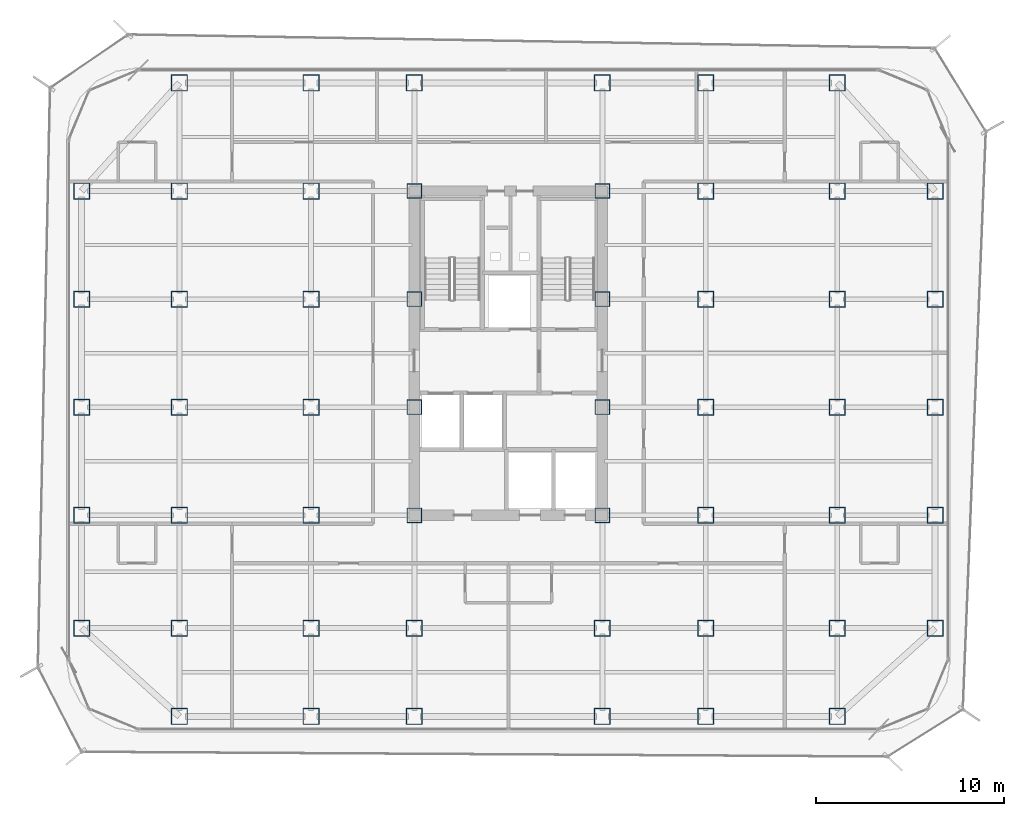
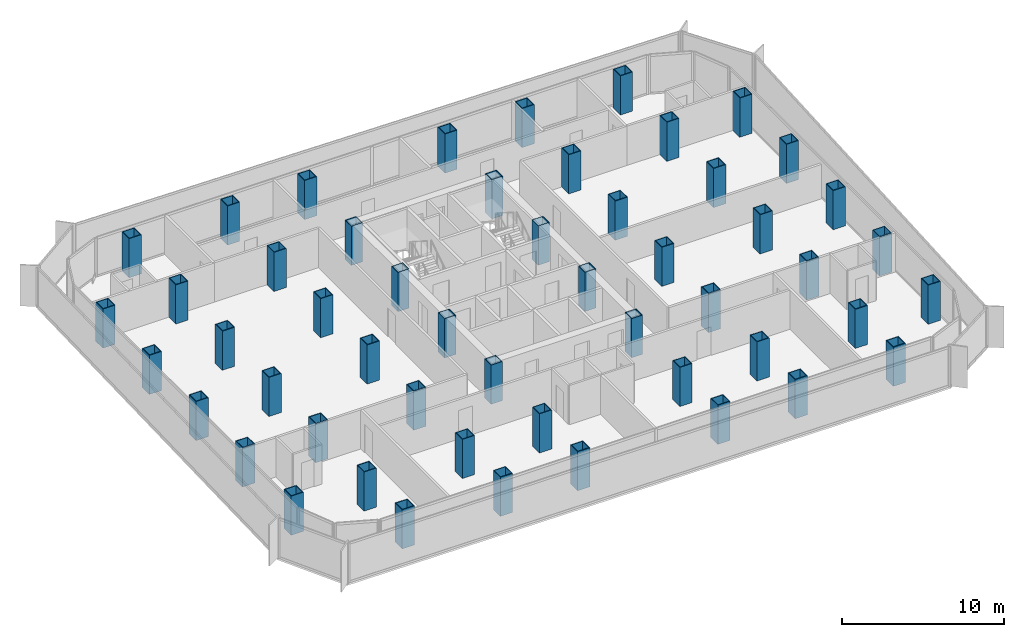
# One storey, part 1 of 21: 52 columns.
"""IFC4 building model written with IfcOpenShell, lengths in metres."""

from ifc_helpers import new_model, si_unit, direction, frame, origin, origin_2d, place, context, subcontext, project, spatial, hollow_rectangle, extrude, source, transform, mapped, material, material_profile, profile_set, type_object, element, save


model = new_model("IFC4")

# Units and contexts
model_context = context("Model", 3, precision=1e-05, world=origin(), true_north=direction((0.0, 1.0)))
body_context = subcontext(model_context, "Body", "Model", "MODEL_VIEW")
ifc_project = project(units=[si_unit("LENGTHUNIT", "METRE"), si_unit("AREAUNIT", "SQUARE_METRE"), si_unit("VOLUMEUNIT", "CUBIC_METRE"), si_unit("PLANEANGLEUNIT", "RADIAN"), si_unit("MASSUNIT", "GRAM", prefix="KILO")], contexts=[model_context])

# Site, building, storey
site_placement = place(None, origin())
site = spatial("IfcSite", under=ifc_project, at=site_placement, CompositionType="ELEMENT")
building_placement = place(site_placement, origin())
building = spatial("IfcBuilding", under=site, at=building_placement, Name="Kolveth Station Tower", CompositionType="ELEMENT")
storey_placement = place(building_placement, frame((0.0, 0.0, 137.5)))
storey = spatial("IfcBuildingStorey", under=building, at=storey_placement, Name="L38", CompositionType="ELEMENT", Elevation=137.5)

# Columns
ifc_material_1 = material(Name="Steel S460", Category="steel")
ifc_material_profile_1 = material_profile(ifc_material_1, hollow_rectangle(XDim=0.8798828125, YDim=0.8798828125, WallThickness=0.050048828125, at=origin_2d()), Name="BOX880x880x50")
ifc_profile_set_1 = profile_set([ifc_material_profile_1], Name="Steel S460")
column_type_1 = type_object("IfcColumnType", Name="Col_C4", PredefinedType="COLUMN", material=ifc_profile_set_1)
shared_shape_1 = source(origin(), body_context, "Body", "SweptSolid", [
    extrude(hollow_rectangle(XDim=0.8798828125, YDim=0.8798828125, WallThickness=0.050048828125, at=origin_2d()), origin(), (0.0, 0.0, 1.0), 2.949951171875),
])
for number, where, z_axis, x_axis, name in (
    (1, (6.0, 0.800048828125, 0.0), (0.0, 0.0, 1.0), (1.0, 0.0, 0.0), "L38 Tower Column S-X60"),
    (2, (6.0, 34.5, 0.0), (0.0, 0.0, 1.0), (1.0, 0.0, 0.0), "L38 Tower Column N-X60"),
    (3, (13.0, 0.800048828125, 0.0), (0.0, 0.0, 1.0), (1.0, 0.0, 0.0), "L38 Tower Column S-X130"),
    (4, (13.0, 34.5, 0.0), (0.0, 0.0, 1.0), (1.0, 0.0, 0.0), "L38 Tower Column N-X130"),
    (5, (18.5, 0.800048828125, 0.0), (0.0, 0.0, 1.0), (1.0, 0.0, 0.0), "L38 Tower Column S-X185"),
    (6, (18.5, 34.5, 0.0), (0.0, 0.0, 1.0), (1.0, 0.0, 0.0), "L38 Tower Column N-X185"),
    (7, (28.5, 0.800048828125, 0.0), (0.0, 0.0, 1.0), (1.0, 0.0, 0.0), "L38 Tower Column S-X285"),
    (8, (28.5, 34.5, 0.0), (0.0, 0.0, 1.0), (1.0, 0.0, 0.0), "L38 Tower Column N-X285"),
    (9, (34.0, 0.800048828125, 0.0), (0.0, 0.0, 1.0), (1.0, 0.0, 0.0), "L38 Tower Column S-X340"),
    (10, (34.0, 34.5, 0.0), (0.0, 0.0, 1.0), (1.0, 0.0, 0.0), "L38 Tower Column N-X340"),
    (11, (41.0, 0.800048828125, 0.0), (0.0, 0.0, 1.0), (1.0, 0.0, 0.0), "L38 Tower Column S-X410"),
    (12, (41.0, 34.5, 0.0), (0.0, 0.0, 1.0), (1.0, 0.0, 0.0), "L38 Tower Column N-X410"),
    (13, (0.800048828125, 5.5, 0.0), (0.0, 0.0, 1.0), (1.0, 0.0, 0.0), "L38 Tower Column W-Y55"),
    (14, (46.199951171875, 5.5, 0.0), (0.0, 0.0, 1.0), (1.0, 0.0, 0.0), "L38 Tower Column E-Y55"),
    (15, (0.800048828125, 11.5, 0.0), (0.0, 0.0, 1.0), (1.0, 0.0, 0.0), "L38 Tower Column W-Y115"),
    (16, (46.199951171875, 11.5, 0.0), (0.0, 0.0, 1.0), (1.0, 0.0, 0.0), "L38 Tower Column E-Y115"),
    (17, (0.800048828125, 17.25, 0.0), (0.0, 0.0, 1.0), (1.0, 0.0, 0.0), "L38 Tower Column W-Y172"),
    (18, (46.199951171875, 17.25, 0.0), (0.0, 0.0, 1.0), (1.0, 0.0, 0.0), "L38 Tower Column E-Y172"),
    (19, (0.800048828125, 23.0, 0.0), (0.0, 0.0, 1.0), (1.0, 0.0, 0.0), "L38 Tower Column W-Y230"),
    (20, (46.199951171875, 23.0, 0.0), (0.0, 0.0, 1.0), (1.0, 0.0, 0.0), "L38 Tower Column E-Y230"),
    (21, (0.800048828125, 28.75, 0.0), (0.0, 0.0, 1.0), (1.0, 0.0, 0.0), "L38 Tower Column W-Y287"),
    (22, (46.199951171875, 28.75, 0.0), (0.0, 0.0, 1.0), (1.0, 0.0, 0.0), "L38 Tower Column E-Y287"),
    (23, (6.0, 5.5, 0.0), (0.0, 0.0, 1.0), (1.0, 0.0, 0.0), "L38 Tower Column G-60-55"),
    (24, (6.0, 11.5, 0.0), (0.0, 0.0, 1.0), (1.0, 0.0, 0.0), "L38 Tower Column G-60-115"),
    (25, (6.0, 17.25, 0.0), (0.0, 0.0, 1.0), (1.0, 0.0, 0.0), "L38 Tower Column G-60-172"),
    (26, (6.0, 23.0, 0.0), (0.0, 0.0, 1.0), (1.0, 0.0, 0.0), "L38 Tower Column G-60-230"),
    (27, (6.0, 28.75, 0.0), (0.0, 0.0, 1.0), (1.0, 0.0, 0.0), "L38 Tower Column G-60-287"),
    (28, (13.0, 5.5, 0.0), (0.0, 0.0, 1.0), (1.0, 0.0, 0.0), "L38 Tower Column G-130-55"),
    (29, (13.0, 11.5, 0.0), (0.0, 0.0, 1.0), (1.0, 0.0, 0.0), "L38 Tower Column G-130-115"),
    (30, (13.0, 17.25, 0.0), (0.0, 0.0, 1.0), (1.0, 0.0, 0.0), "L38 Tower Column G-130-172"),
    (31, (13.0, 23.0, 0.0), (0.0, 0.0, 1.0), (1.0, 0.0, 0.0), "L38 Tower Column G-130-230"),
    (32, (13.0, 28.75, 0.0), (0.0, 0.0, 1.0), (1.0, 0.0, 0.0), "L38 Tower Column G-130-287"),
    (33, (18.5, 5.5, 0.0), (0.0, 0.0, 1.0), (1.0, 0.0, 0.0), "L38 Tower Column G-185-55"),
    (34, (28.5, 5.5, 0.0), (0.0, 0.0, 1.0), (1.0, 0.0, 0.0), "L38 Tower Column G-285-55"),
    (35, (34.0, 5.5, 0.0), (0.0, 0.0, 1.0), (1.0, 0.0, 0.0), "L38 Tower Column G-340-55"),
    (36, (34.0, 11.5, 0.0), (0.0, 0.0, 1.0), (1.0, 0.0, 0.0), "L38 Tower Column G-340-115"),
    (37, (34.0, 17.25, 0.0), (0.0, 0.0, 1.0), (1.0, 0.0, 0.0), "L38 Tower Column G-340-172"),
    (38, (34.0, 23.0, 0.0), (0.0, 0.0, 1.0), (1.0, 0.0, 0.0), "L38 Tower Column G-340-230"),
    (39, (34.0, 28.75, 0.0), (0.0, 0.0, 1.0), (1.0, 0.0, 0.0), "L38 Tower Column G-340-287"),
    (40, (41.0, 5.5, 0.0), (0.0, 0.0, 1.0), (1.0, 0.0, 0.0), "L38 Tower Column G-410-55"),
    (41, (41.0, 11.5, 0.0), (0.0, 0.0, 1.0), (1.0, 0.0, 0.0), "L38 Tower Column G-410-115"),
    (42, (41.0, 17.25, 0.0), (0.0, 0.0, 1.0), (1.0, 0.0, 0.0), "L38 Tower Column G-410-172"),
    (43, (41.0, 23.0, 0.0), (0.0, 0.0, 1.0), (1.0, 0.0, 0.0), "L38 Tower Column G-410-230"),
    (44, (41.0, 28.75, 0.0), (0.0, 0.0, 1.0), (1.0, 0.0, 0.0), "L38 Tower Column G-410-287"),
):
    element("IfcColumn", number, at=place(storey_placement, frame(where, z_axis=z_axis, x_axis=x_axis)), inside=storey, type_object=column_type_1, Name=name, PredefinedType="COLUMN", context=body_context, shape_type="MappedRepresentation", body=[
        mapped(shared_shape_1, transform((0.0, 0.0, 0.0), x_axis=(1.0, 0.0, 0.0), y_axis=(0.0, 1.0, 0.0), z_axis=(0.0, 0.0, 1.0), scale=1.0)),
    ])
ifc_material_2 = material(Name="Steel S355", Category="steel")
ifc_material_profile_2 = material_profile(ifc_material_2, hollow_rectangle(XDim=0.800048828125, YDim=0.800048828125, WallThickness=0.044921875, at=origin_2d()), Name="BOX800x800x45")
ifc_profile_set_2 = profile_set([ifc_material_profile_2], Name="Steel S355")
column_type_2 = type_object("IfcColumnType", Name="Col_C5", PredefinedType="COLUMN", material=ifc_profile_set_2)
shared_shape_2 = source(origin(), body_context, "Body", "SweptSolid", [
    extrude(hollow_rectangle(XDim=0.800048828125, YDim=0.800048828125, WallThickness=0.044921875, at=origin_2d()), origin(), (0.0, 0.0, 1.0), 2.949951171875),
])
for number, where, z_axis, x_axis, name in (
    (45, (18.5, 11.5, 0.0), (0.0, 0.0, 1.0), (1.0, 0.0, 0.0), "L38 Tower Column G-185-115"),
    (46, (18.5, 17.25, 0.0), (0.0, 0.0, 1.0), (1.0, 0.0, 0.0), "L38 Tower Column G-185-172"),
    (47, (18.5, 23.0, 0.0), (0.0, 0.0, 1.0), (1.0, 0.0, 0.0), "L38 Tower Column G-185-230"),
    (48, (18.5, 28.75, 0.0), (0.0, 0.0, 1.0), (1.0, 0.0, 0.0), "L38 Tower Column G-185-287"),
    (49, (28.5, 11.5, 0.0), (0.0, 0.0, 1.0), (1.0, 0.0, 0.0), "L38 Tower Column G-285-115"),
    (50, (28.5, 17.25, 0.0), (0.0, 0.0, 1.0), (1.0, 0.0, 0.0), "L38 Tower Column G-285-172"),
    (51, (28.5, 23.0, 0.0), (0.0, 0.0, 1.0), (1.0, 0.0, 0.0), "L38 Tower Column G-285-230"),
    (52, (28.5, 28.75, 0.0), (0.0, 0.0, 1.0), (1.0, 0.0, 0.0), "L38 Tower Column G-285-287"),
):
    element("IfcColumn", number, at=place(storey_placement, frame(where, z_axis=z_axis, x_axis=x_axis)), inside=storey, type_object=column_type_2, Name=name, PredefinedType="COLUMN", context=body_context, shape_type="MappedRepresentation", body=[
        mapped(shared_shape_2, transform((0.0, 0.0, 0.0), x_axis=(1.0, 0.0, 0.0), y_axis=(0.0, 1.0, 0.0), z_axis=(0.0, 0.0, 1.0), scale=1.0)),
    ])

save(model, "model.ifc")
